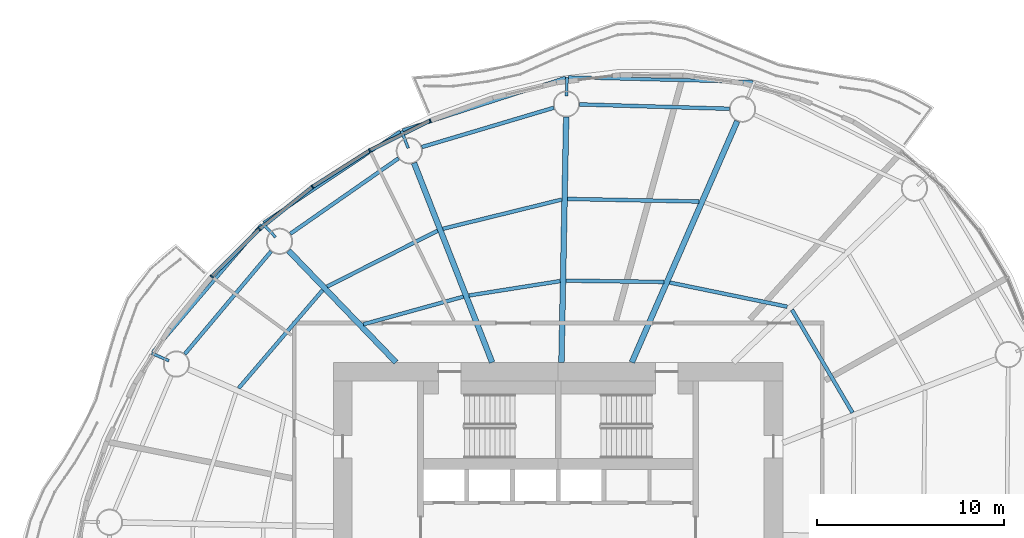
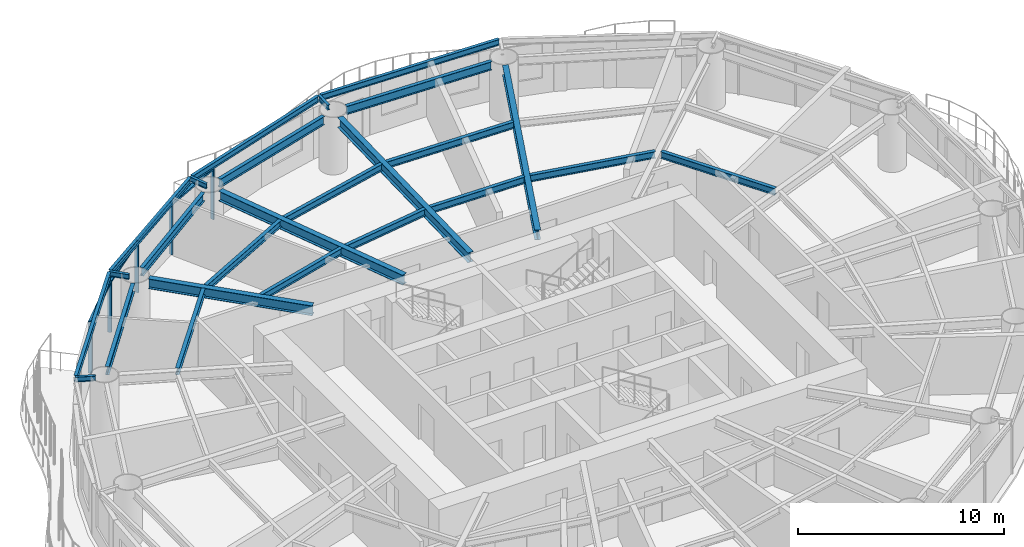
# One storey, part 5 of 15: 25 beams, 9 members, 4 elements without a shape of their own.
"""IFC4 building model written with IfcOpenShell, lengths in metres."""

from ifc_helpers import new_model, si_unit, direction, frame, origin, origin_2d, place, context, subcontext, project, spatial, rectangle, i_section, extrude, material, material_profile, profile_set, type_object, element, aggregate, save


model = new_model("IFC4")

# Units and contexts
model_context = context("Model", 3, precision=1e-05, world=origin(), true_north=direction((0.0, 1.0)))
body_context = subcontext(model_context, "Body", "Model", "MODEL_VIEW")
ifc_project = project(units=[si_unit("LENGTHUNIT", "METRE"), si_unit("AREAUNIT", "SQUARE_METRE"), si_unit("VOLUMEUNIT", "CUBIC_METRE"), si_unit("PLANEANGLEUNIT", "RADIAN"), si_unit("MASSUNIT", "GRAM", prefix="KILO")], contexts=[model_context])

# Site, building, storey
site_placement = place(None, origin())
site = spatial("IfcSite", under=ifc_project, at=site_placement, CompositionType="ELEMENT")
building_placement = place(site_placement, origin())
building = spatial("IfcBuilding", under=site, at=building_placement, Name="Vermilion Reach Broadcast Tower", CompositionType="ELEMENT")
storey_placement = place(building_placement, frame((0.0, 0.0, 175.800048828125)))
storey = spatial("IfcBuildingStorey", under=building, at=storey_placement, Name="L42", CompositionType="ELEMENT", Elevation=175.800048828125)

# Beams
ifc_material_1 = material(Name="Steel S355J2", Category="steel")
ifc_material_profile_1 = material_profile(ifc_material_1, i_section(OverallWidth=0.175048828125, OverallDepth=0.35009765625, WebThickness=0.007080078125, FlangeThickness=0.010986328125, at=origin_2d()), Name="S355J2 HN 350x175x7x11")
ifc_profile_set_1 = profile_set([ifc_material_profile_1], Name="Steel S355J2")
beam_type_1 = type_object("IfcBeamType", Name="EB3 HN 350x175x7x11", PredefinedType="BEAM", material=ifc_profile_set_1)
beam_1_placement = place(storey_placement, frame((4.398681640625, 23.977783203125, 3.224853515625), z_axis=(-0.999682723206, 0.025188348971, 0.0), x_axis=(-0.025188348971, -0.999682723206, 0.0)))
element("IfcBeam", 1, at=beam_1_placement, inside=storey, type_object=beam_type_1, Name="Edge beam EB3-02", PredefinedType="BEAM", context=body_context, shape_type="SweptSolid", body=[
    extrude(i_section(OverallWidth=0.175048828125, OverallDepth=0.35009765625, WebThickness=0.007080078125, FlangeThickness=0.010986328125, at=origin_2d()), origin(), (0.0, 0.0, 1.0), 9.857421875),
])
beam_2_placement = place(storey_placement, frame((-5.60595703125, 24.20361328125, 3.224853515625), z_axis=(-0.951576556043, -0.307411870281, 0.0), x_axis=(0.307411870281, -0.951576556043, 0.0)))
element("IfcBeam", 2, at=beam_2_placement, inside=storey, type_object=beam_type_1, Name="Edge beam EB3-03", PredefinedType="BEAM", context=body_context, shape_type="SweptSolid", body=[
    extrude(i_section(OverallWidth=0.175048828125, OverallDepth=0.35009765625, WebThickness=0.007080078125, FlangeThickness=0.010986328125, at=origin_2d()), origin(), (0.0, 0.0, 1.0), 9.13623046875),
])
beam_3_placement = place(storey_placement, frame((-14.43505859375, 21.3291015625, 3.224853515625), z_axis=(-0.831158316568, -0.556035837693, 0.0), x_axis=(0.556035837693, -0.831158316568, 0.0)))
element("IfcBeam", 3, at=beam_3_placement, inside=storey, type_object=beam_type_1, Name="Edge beam EB3-04", PredefinedType="BEAM", context=body_context, shape_type="SweptSolid", body=[
    extrude(i_section(OverallWidth=0.175048828125, OverallDepth=0.35009765625, WebThickness=0.007080078125, FlangeThickness=0.010986328125, at=origin_2d()), origin(), (0.0, 0.0, 1.0), 8.769287109375),
])
beam_4_placement = place(storey_placement, frame((-21.835693359375, 16.353271484375, 3.224853515625), z_axis=(-0.649539712975, -0.760327667041, 0.0), x_axis=(0.760327667041, -0.649539712975, 0.0)))
element("IfcBeam", 4, at=beam_4_placement, inside=storey, type_object=beam_type_1, Name="Edge beam EB3-05", PredefinedType="BEAM", context=body_context, shape_type="SweptSolid", body=[
    extrude(i_section(OverallWidth=0.175048828125, OverallDepth=0.35009765625, WebThickness=0.007080078125, FlangeThickness=0.010986328125, at=origin_2d()), origin(), (0.0, 0.0, 1.0), 8.95361328125),
])
ifc_material_2 = material(Name="Steel S355J2", Category="steel")
ifc_material_profile_2 = material_profile(ifc_material_2, i_section(OverallWidth=0.300048828125, OverallDepth=0.587890625, WebThickness=0.011962890625, FlangeThickness=0.02001953125, at=origin_2d()), Name="S355J2 HM 588x300x12x20")
ifc_profile_set_2 = profile_set([ifc_material_profile_2], Name="Steel S355J2")
beam_type_2 = type_object("IfcBeamType", Name="G3 HM 588x300x12x20", PredefinedType="BEAM", material=ifc_profile_set_2)
beam_5_placement = place(storey_placement, frame((-2.066162109375, 9.0, 3.10595703125), z_axis=(0.400519113205, 0.916288404356, 0.0), x_axis=(-0.916288404356, 0.400519113205, 0.0)))
element("IfcBeam", 5, at=beam_5_placement, inside=storey, type_object=beam_type_2, Name="Girder G3-02", PredefinedType="BEAM", context=body_context, shape_type="SweptSolid", body=[
    extrude(i_section(OverallWidth=0.300048828125, OverallDepth=0.587890625, WebThickness=0.011962890625, FlangeThickness=0.02001953125, at=origin_2d()), origin(), (0.0, 0.0, 1.0), 14.0595703125),
])
beam_6_placement = place(storey_placement, frame((-5.82568359375, 9.0, 3.10595703125), z_axis=(0.019378372481, 0.99981222171, 0.0), x_axis=(-0.99981222171, 0.019378372481, 0.0)))
element("IfcBeam", 6, at=beam_6_placement, inside=storey, type_object=beam_type_2, Name="Girder G3-03", PredefinedType="BEAM", context=body_context, shape_type="SweptSolid", body=[
    extrude(i_section(OverallWidth=0.300048828125, OverallDepth=0.587890625, WebThickness=0.011962890625, FlangeThickness=0.02001953125, at=origin_2d()), origin(), (0.0, 0.0, 1.0), 13.1025390625),
])
beam_7_placement = place(storey_placement, frame((-9.525146484375, 9.0, 3.10595703125), z_axis=(-0.364715649973, 0.931118947646, 0.0), x_axis=(-0.931118947646, -0.364715649973, 0.0)))
element("IfcBeam", 7, at=beam_7_placement, inside=storey, type_object=beam_type_2, Name="Girder G3-04", PredefinedType="BEAM", context=body_context, shape_type="SweptSolid", body=[
    extrude(i_section(OverallWidth=0.300048828125, OverallDepth=0.587890625, WebThickness=0.011962890625, FlangeThickness=0.02001953125, at=origin_2d()), origin(), (0.0, 0.0, 1.0), 11.436767578125),
])
beam_8_placement = place(storey_placement, frame((-14.657958984375, 9.0, 3.10595703125), z_axis=(-0.693282657492, 0.72066577331, 0.0), x_axis=(-0.72066577331, -0.693282657492, 0.0)))
element("IfcBeam", 8, at=beam_8_placement, inside=storey, type_object=beam_type_2, Name="Girder G3-05", PredefinedType="BEAM", context=body_context, shape_type="SweptSolid", body=[
    extrude(i_section(OverallWidth=0.300048828125, OverallDepth=0.587890625, WebThickness=0.011962890625, FlangeThickness=0.02001953125, at=origin_2d()), origin(), (0.0, 0.0, 1.0), 8.273681640625),
])
ifc_material_3 = material(Name="Steel S355J2", Category="steel")
ifc_material_profile_3 = material_profile(ifc_material_3, i_section(OverallWidth=0.14990234375, OverallDepth=0.300048828125, WebThickness=0.006591796875, FlangeThickness=0.009033203125, at=origin_2d()), Name="S355J2 HN 300x150x6.5x9")
ifc_profile_set_3 = profile_set([ifc_material_profile_3], Name="Steel S355J2")
beam_type_3 = type_object("IfcBeamType", Name="GS3 HN 300x150x6.5x9", PredefinedType="BEAM", material=ifc_profile_set_3)
for number, where, z_axis, x_axis, name in (
    (9, (-5.550048828125, 23.228271484375, 3.25), (0.019532292583, 0.999809226576, 0.0), (-0.999809226576, 0.019532292583, 0.0), "Cantilever stub GS3-03"),
    (10, (-14.006591796875, 20.440673828125, 3.25), (-0.364730702407, 0.931113051526, 0.0), (-0.931113051526, -0.364730702407, 0.0), "Cantilever stub GS3-04"),
    (11, (-21.093505859375, 15.68994140625, 3.25), (-0.693303837595, 0.720645397388, 0.0), (-0.720645397388, -0.693303837595, 0.0), "Cantilever stub GS3-05"),
):
    element("IfcBeam", number, at=place(storey_placement, frame(where, z_axis=z_axis, x_axis=x_axis)), inside=storey, type_object=beam_type_3, Name=name, PredefinedType="BEAM", context=body_context, shape_type="SweptSolid", body=[
        extrude(i_section(OverallWidth=0.14990234375, OverallDepth=0.300048828125, WebThickness=0.006591796875, FlangeThickness=0.009033203125, at=origin_2d()), origin(), (0.0, 0.0, 1.0), 1.0),
    ])
beam_9_placement = place(storey_placement, frame((-26.785888671875, 9.08544921875, 3.25), z_axis=(-0.916280532556, 0.40053712145, 0.0), x_axis=(-0.40053712145, -0.916280532556, 0.0)))
element("IfcBeam", 12, at=beam_9_placement, inside=storey, type_object=beam_type_3, Name="Cantilever stub GS3-06", PredefinedType="BEAM", context=body_context, shape_type="SweptSolid", body=[
    extrude(i_section(OverallWidth=0.14990234375, OverallDepth=0.300048828125, WebThickness=0.006591796875, FlangeThickness=0.009033203125, at=origin_2d()), origin(), (0.0, 0.0, 1.0), 1.000244140625),
])
ifc_material_4 = material(Name="Steel S355J2", Category="steel")
ifc_material_profile_4 = material_profile(ifc_material_4, i_section(OverallWidth=0.199951171875, OverallDepth=0.5, WebThickness=0.010009765625, FlangeThickness=0.01611328125, at=origin_2d()), Name="S355J2 HN 500x200x10x16")
ifc_profile_set_4 = profile_set([ifc_material_profile_4], Name="Steel S355J2")
beam_type_4 = type_object("IfcBeamType", Name="RB3 HN 500x200x10x16", PredefinedType="BEAM", material=ifc_profile_set_4)
beam_10_placement = place(storey_placement, frame((3.1455078125, 22.544677734375, 3.14990234375), z_axis=(-0.999569781146, 0.029330063427, 0.0), x_axis=(-0.029330063427, -0.999569781146, 0.0)))
element("IfcBeam", 13, at=beam_10_placement, inside=storey, type_object=beam_type_4, Name="Ring beam RB3-02", PredefinedType="BEAM", context=body_context, shape_type="SweptSolid", body=[
    extrude(i_section(OverallWidth=0.199951171875, OverallDepth=0.5, WebThickness=0.010009765625, FlangeThickness=0.01611328125, at=origin_2d()), origin(), (0.0, 0.0, 1.0), 8.007568359375),
])
beam_11_placement = place(storey_placement, frame((-6.229248046875, 22.60009765625, 3.14990234375), z_axis=(-0.958416970322, -0.285371531516, 0.0), x_axis=(0.285371531516, -0.958416970322, 0.0)))
element("IfcBeam", 14, at=beam_11_placement, inside=storey, type_object=beam_type_4, Name="Ring beam RB3-03", PredefinedType="BEAM", context=body_context, shape_type="SweptSolid", body=[
    extrude(i_section(OverallWidth=0.199951171875, OverallDepth=0.5, WebThickness=0.010009765625, FlangeThickness=0.01611328125, at=origin_2d()), origin(), (0.0, 0.0, 1.0), 7.357421875),
])
beam_12_placement = place(storey_placement, frame((-14.525634765625, 19.900146484375, 3.14990234375), z_axis=(-0.820111453349, -0.572203813415, 0.0), x_axis=(0.572203813415, -0.820111453349, 0.0)))
element("IfcBeam", 15, at=beam_12_placement, inside=storey, type_object=beam_type_4, Name="Ring beam RB3-04", PredefinedType="BEAM", context=body_context, shape_type="SweptSolid", body=[
    extrude(i_section(OverallWidth=0.199951171875, OverallDepth=0.5, WebThickness=0.010009765625, FlangeThickness=0.01611328125, at=origin_2d()), origin(), (0.0, 0.0, 1.0), 7.04736328125),
])
beam_13_placement = place(storey_placement, frame((-21.32958984375, 14.931396484375, 3.14990234375), z_axis=(-0.643350337931, -0.765571905626, 0.0), x_axis=(0.765571905626, -0.643350337931, 0.0)))
element("IfcBeam", 16, at=beam_13_placement, inside=storey, type_object=beam_type_4, Name="Ring beam RB3-05", PredefinedType="BEAM", context=body_context, shape_type="SweptSolid", body=[
    extrude(i_section(OverallWidth=0.199951171875, OverallDepth=0.5, WebThickness=0.010009765625, FlangeThickness=0.01611328125, at=origin_2d()), origin(), (0.0, 0.0, 1.0), 7.1630859375),
])
ifc_material_5 = material(Name="Steel S355J2", Category="steel")
ifc_material_profile_5 = material_profile(ifc_material_5, i_section(OverallWidth=0.199951171875, OverallDepth=0.39990234375, WebThickness=0.008056640625, FlangeThickness=0.012939453125, at=origin_2d()), Name="S355J2 HN 400x200x8x13")
ifc_profile_set_5 = profile_set([ifc_material_profile_5], Name="Steel S355J2")
beam_type_5 = type_object("IfcBeamType", Name="SB3 HN 400x200x8x13", PredefinedType="BEAM", material=ifc_profile_set_5)
beam_14_placement = place(storey_placement, frame((6.232666015625, 11.975830078125, 3.199951171875), z_axis=(-0.97956765607, 0.201114910391, 0.0), x_axis=(-0.201114910391, -0.97956765607, 0.0)))
element("IfcBeam", 17, at=beam_14_placement, inside=storey, type_object=beam_type_5, Name="Secondary beam SB3-01-1", PredefinedType="BEAM", context=body_context, shape_type="SweptSolid", body=[
    extrude(i_section(OverallWidth=0.199951171875, OverallDepth=0.39990234375, WebThickness=0.008056640625, FlangeThickness=0.012939453125, at=origin_2d()), origin(), (0.0, 0.0, 1.0), 6.40234375),
])
beam_15_placement = place(storey_placement, frame((-0.351806640625, 13.29638671875, 3.199951171875), z_axis=(-0.999914891843, 0.013046419838, 0.0), x_axis=(-0.013046419838, -0.999914891843, 0.0)))
element("IfcBeam", 18, at=beam_15_placement, inside=storey, type_object=beam_type_5, Name="Secondary beam SB3-02-1", PredefinedType="BEAM", context=body_context, shape_type="SweptSolid", body=[
    extrude(i_section(OverallWidth=0.199951171875, OverallDepth=0.39990234375, WebThickness=0.008056640625, FlangeThickness=0.012939453125, at=origin_2d()), origin(), (0.0, 0.0, 1.0), 5.23974609375),
])
beam_16_placement = place(storey_placement, frame((1.525634765625, 17.591552734375, 3.199951171875), z_axis=(-0.999804929321, 0.019751033045, 0.0), x_axis=(-0.019751033045, -0.999804929321, 0.0)))
element("IfcBeam", 19, at=beam_16_placement, inside=storey, type_object=beam_type_5, Name="Secondary beam SB3-02-2", PredefinedType="BEAM", context=body_context, shape_type="SweptSolid", body=[
    extrude(i_section(OverallWidth=0.199951171875, OverallDepth=0.39990234375, WebThickness=0.008056640625, FlangeThickness=0.012939453125, at=origin_2d()), origin(), (0.0, 0.0, 1.0), 7.033447265625),
])
beam_17_placement = place(storey_placement, frame((-5.8916015625, 13.343017578125, 3.199951171875), z_axis=(-0.987756142208, -0.15600578044, 0.0), x_axis=(0.15600578044, -0.987756142208, 0.0)))
element("IfcBeam", 20, at=beam_17_placement, inside=storey, type_object=beam_type_5, Name="Secondary beam SB3-03-1", PredefinedType="BEAM", context=body_context, shape_type="SweptSolid", body=[
    extrude(i_section(OverallWidth=0.199951171875, OverallDepth=0.39990234375, WebThickness=0.008056640625, FlangeThickness=0.012939453125, at=origin_2d()), origin(), (0.0, 0.0, 1.0), 4.9326171875),
])
beam_18_placement = place(storey_placement, frame((-5.80712890625, 17.6962890625, 3.199951171875), z_axis=(-0.971111691931, -0.238625400566, 0.0), x_axis=(0.238625400566, -0.971111691931, 0.0)))
element("IfcBeam", 21, at=beam_18_placement, inside=storey, type_object=beam_type_5, Name="Secondary beam SB3-03-2", PredefinedType="BEAM", context=body_context, shape_type="SweptSolid", body=[
    extrude(i_section(OverallWidth=0.199951171875, OverallDepth=0.39990234375, WebThickness=0.008056640625, FlangeThickness=0.012939453125, at=origin_2d()), origin(), (0.0, 0.0, 1.0), 6.540771484375),
])
beam_19_placement = place(storey_placement, frame((-11.06103515625, 12.509521484375, 3.199951171875), z_axis=(-0.963889790258, -0.266301468708, 0.0), x_axis=(0.266301468708, -0.963889790258, 0.0)))
element("IfcBeam", 22, at=beam_19_placement, inside=storey, type_object=beam_type_5, Name="Secondary beam SB3-04-1", PredefinedType="BEAM", context=body_context, shape_type="SweptSolid", body=[
    extrude(i_section(OverallWidth=0.199951171875, OverallDepth=0.39990234375, WebThickness=0.008056640625, FlangeThickness=0.012939453125, at=origin_2d()), origin(), (0.0, 0.0, 1.0), 5.544677734375),
])
beam_20_placement = place(storey_placement, frame((-12.4404296875, 16.03125, 3.199951171875), z_axis=(-0.892320561657, -0.451402276516, 0.0), x_axis=(0.451402276516, -0.892320561657, 0.0)))
element("IfcBeam", 23, at=beam_20_placement, inside=storey, type_object=beam_type_5, Name="Secondary beam SB3-04-2", PredefinedType="BEAM", context=body_context, shape_type="SweptSolid", body=[
    extrude(i_section(OverallWidth=0.199951171875, OverallDepth=0.39990234375, WebThickness=0.008056640625, FlangeThickness=0.012939453125, at=origin_2d()), origin(), (0.0, 0.0, 1.0), 6.613525390625),
])
beam_21_placement = place(storey_placement, frame((-18.579833984375, 12.860595703125, 3.199951171875), z_axis=(-0.650167134505, -0.759791219487, 0.0), x_axis=(0.759791219487, -0.650167134505, 0.0)))
element("IfcBeam", 24, at=beam_21_placement, inside=storey, type_object=beam_type_5, Name="Secondary beam SB3-05-2", PredefinedType="BEAM", context=body_context, shape_type="SweptSolid", body=[
    extrude(i_section(OverallWidth=0.199951171875, OverallDepth=0.39990234375, WebThickness=0.008056640625, FlangeThickness=0.012939453125, at=origin_2d()), origin(), (0.0, 0.0, 1.0), 6.89501953125),
])
beam_22_placement = place(storey_placement, frame((9.71923828125, 6.318115234375, 3.199951171875), z_axis=(-0.507249643612, 0.861799163991, 0.0), x_axis=(-0.861799163991, -0.507249643612, 0.0)))
element("IfcBeam", 25, at=beam_22_placement, inside=storey, type_object=beam_type_5, Name="Secondary beam SB3-16-1", PredefinedType="BEAM", context=body_context, shape_type="SweptSolid", body=[
    extrude(i_section(OverallWidth=0.199951171875, OverallDepth=0.39990234375, WebThickness=0.008056640625, FlangeThickness=0.012939453125, at=origin_2d()), origin(), (0.0, 0.0, 1.0), 6.3681640625),
])

# Curtain wall, member
ifc_material_6 = material(Name="Low-e laminated clear glass in aluminium frame", Category="aluminium")
curtain_wall_type = type_object("IfcCurtainWallType", Name="Slot curtain wall", PredefinedType="NOTDEFINED", material=ifc_material_6)
placement = place(storey_placement, origin())
curtain_wall_1 = element("IfcCurtainWall", 26, at=placement, inside=storey, type_object=curtain_wall_type, Name="Slot curtain wall L42 10", PredefinedType="NOTDEFINED")
ifc_material_7 = material(Name="Anodised aluminium", Category="aluminium")
ifc_material_profile_6 = material_profile(ifc_material_7, rectangle(XDim=0.199951171875, YDim=0.080078125, at=origin_2d()), Name="Slot mullion 80 x 200")
ifc_profile_set_6 = profile_set([ifc_material_profile_6], Name="Anodised aluminium")
member_type_1 = type_object("IfcMemberType", Name="Slot mullion 80 x 200", PredefinedType="MULLION", material=ifc_profile_set_6)
member_1_placement = place(storey_placement, frame((-12.840087890625, 21.909912109375, 0.0), z_axis=(0.0, 0.0, 1.0), x_axis=(0.392642122772, -0.919691341388, 0.0)))
member_1 = element("IfcMember", 27, at=member_1_placement, type_object=member_type_1, Name="Slot mullion L42 10", PredefinedType="MULLION", context=body_context, shape_type="SweptSolid", body=[
    extrude(rectangle(XDim=0.199951171875, YDim=0.080078125, at=origin_2d()), origin(), (0.0, 0.0, 1.0), 3.050048828125),
])

curtain_wall_2 = element("IfcCurtainWall", 28, at=placement, inside=storey, type_object=curtain_wall_type, Name="Slot curtain wall L42 11", PredefinedType="NOTDEFINED")
member_2_placement = place(storey_placement, frame((-16.065673828125, 20.318359375, 0.0), z_axis=(0.0, 0.0, 1.0), x_axis=(0.490205187425, -0.871607064118, 0.0)))
member_2 = element("IfcMember", 29, at=member_2_placement, type_object=member_type_1, Name="Slot mullion L42 11", PredefinedType="MULLION", context=body_context, shape_type="SweptSolid", body=[
    extrude(rectangle(XDim=0.199951171875, YDim=0.080078125, at=origin_2d()), origin(), (0.0, 0.0, 1.0), 3.050048828125),
])

curtain_wall_3 = element("IfcCurtainWall", 30, at=placement, inside=storey, type_object=curtain_wall_type, Name="Slot curtain wall L42 12", PredefinedType="NOTDEFINED")
member_3_placement = place(storey_placement, frame((-19.118408203125, 18.377685546875, 0.0), z_axis=(0.0, 0.0, 1.0), x_axis=(0.580987148963, -0.81391273042, 0.0)))
member_3 = element("IfcMember", 31, at=member_3_placement, type_object=member_type_1, Name="Slot mullion L42 12", PredefinedType="MULLION", context=body_context, shape_type="SweptSolid", body=[
    extrude(rectangle(XDim=0.199951171875, YDim=0.080078125, at=origin_2d()), origin(), (0.0, 0.0, 1.0), 3.050048828125),
])

# Curtain wall, members
curtain_wall_4 = element("IfcCurtainWall", 32, at=placement, inside=storey, type_object=curtain_wall_type, Name="Slot curtain wall L42 13", PredefinedType="NOTDEFINED")
member_4_placement = place(storey_placement, frame((-21.945556640625, 16.12109375, 0.0), z_axis=(0.0, 0.0, 1.0), x_axis=(0.665047031623, -0.746801476786, 0.0)))
member_4 = element("IfcMember", 33, at=member_4_placement, type_object=member_type_1, Name="Slot mullion L42 13", PredefinedType="MULLION", context=body_context, shape_type="SweptSolid", body=[
    extrude(rectangle(XDim=0.199951171875, YDim=0.080078125, at=origin_2d()), origin(), (0.0, 0.0, 1.0), 3.050048828125),
])
member_5_placement = place(storey_placement, frame((-24.498779296875, 13.587890625, 0.0), z_axis=(0.0, 0.0, 1.0), x_axis=(0.742221514212, -0.670154626815, 0.0)))
member_5 = element("IfcMember", 34, at=member_5_placement, type_object=member_type_1, Name="Slot mullion L42 14", PredefinedType="MULLION", context=body_context, shape_type="SweptSolid", body=[
    extrude(rectangle(XDim=0.199951171875, YDim=0.080078125, at=origin_2d()), origin(), (0.0, 0.0, 1.0), 3.050048828125),
])

# Member
ifc_material_8 = material(Name="Anodised aluminium", Category="aluminium")
ifc_material_profile_7 = material_profile(ifc_material_8, rectangle(XDim=0.199951171875, YDim=0.10009765625, at=origin_2d()), Name="Slot transom 200 x 100")
ifc_profile_set_7 = profile_set([ifc_material_profile_7], Name="Anodised aluminium")
member_type_2 = type_object("IfcMemberType", Name="Slot transom 200 x 100", PredefinedType="USERDEFINED", material=ifc_profile_set_7)
member_6_placement = place(storey_placement, frame((-12.8759765625, 21.892333984375, 3.0), z_axis=(-0.896775033416, -0.442486767533, 0.0), x_axis=(0.442486767533, -0.896775033416, 0.0)))
member_6 = element("IfcMember", 35, at=member_6_placement, type_object=member_type_2, Name="Slot transom L42 10.1", ObjectType="TRANSOM", PredefinedType="USERDEFINED", context=body_context, shape_type="SweptSolid", body=[
    extrude(rectangle(XDim=0.199951171875, YDim=0.10009765625, at=origin_2d()), origin(), (0.0, 0.0, 1.0), 3.516845703125),
])

aggregate(curtain_wall_1, [member_1, member_6])

member_7_placement = place(storey_placement, frame((-16.099365234375, 20.296875, 3.0), z_axis=(-0.843925675573, -0.536460114183, 0.0), x_axis=(0.536460114183, -0.843925675573, 0.0)))
member_7 = element("IfcMember", 36, at=member_7_placement, type_object=member_type_2, Name="Slot transom L42 11.1", ObjectType="TRANSOM", PredefinedType="USERDEFINED", context=body_context, shape_type="SweptSolid", body=[
    extrude(rectangle(XDim=0.199951171875, YDim=0.10009765625, at=origin_2d()), origin(), (0.0, 0.0, 1.0), 3.537353515625),
])

aggregate(curtain_wall_2, [member_2, member_7])

member_8_placement = place(storey_placement, frame((-19.149658203125, 18.352783203125, 3.0), z_axis=(-0.781548416594, -0.623844590038, 0.0), x_axis=(0.623844590038, -0.781548416594, 0.0)))
member_8 = element("IfcMember", 37, at=member_8_placement, type_object=member_type_2, Name="Slot transom L42 12.1", ObjectType="TRANSOM", PredefinedType="USERDEFINED", context=body_context, shape_type="SweptSolid", body=[
    extrude(rectangle(XDim=0.199951171875, YDim=0.10009765625, at=origin_2d()), origin(), (0.0, 0.0, 1.0), 3.537353515625),
])

aggregate(curtain_wall_3, [member_3, member_8])

member_9_placement = place(storey_placement, frame((-21.97412109375, 16.093017578125, 3.0), z_axis=(-0.709843647311, -0.704359280745, 0.0), x_axis=(0.704359280745, -0.709843647311, 0.0)))
member_9 = element("IfcMember", 38, at=member_9_placement, type_object=member_type_2, Name="Slot transom L42 13.1", ObjectType="TRANSOM", PredefinedType="USERDEFINED", context=body_context, shape_type="SweptSolid", body=[
    extrude(rectangle(XDim=0.199951171875, YDim=0.10009765625, at=origin_2d()), origin(), (0.0, 0.0, 1.0), 3.516845703125),
])

aggregate(curtain_wall_4, [member_4, member_5, member_9])

save(model, "model.ifc")
